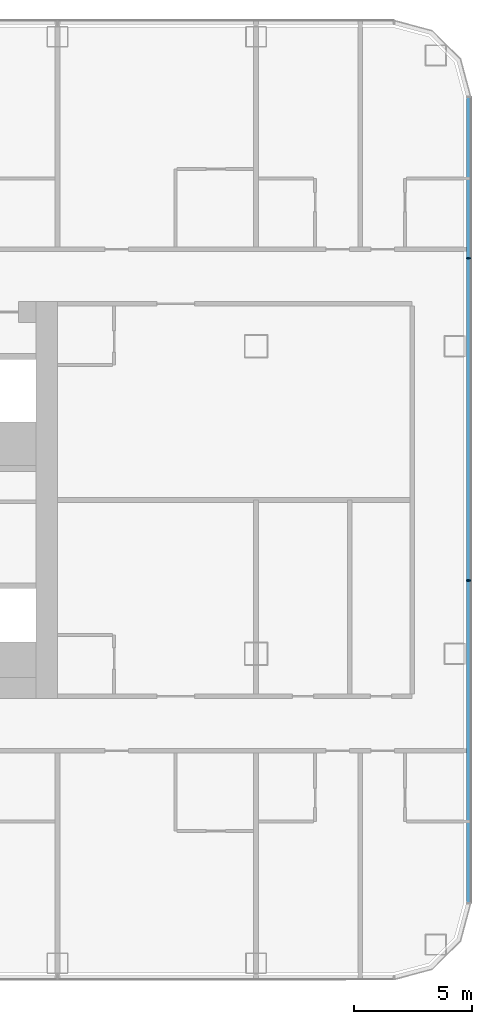
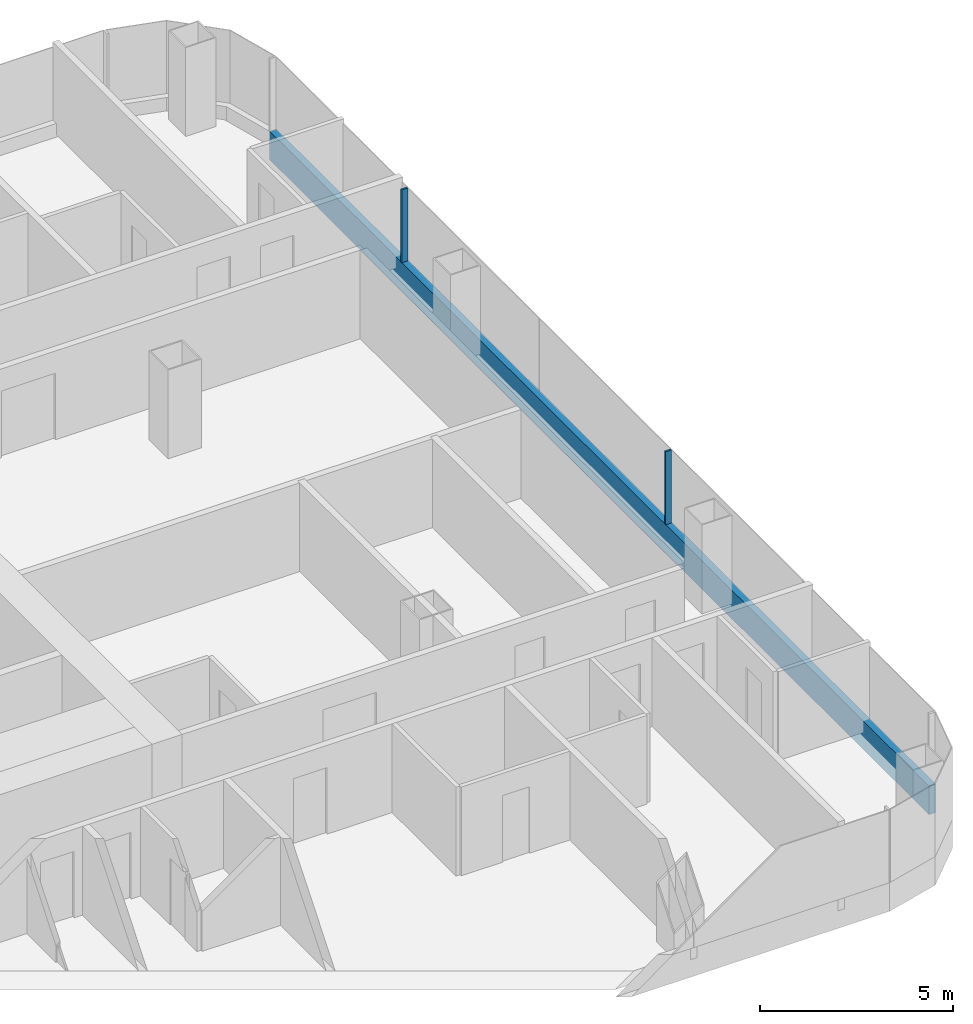
# One storey, part 10 of 28: 3 members, 1 element without a shape of its own.
"""IFC4 building model written with IfcOpenShell, lengths in metres."""

from ifc_helpers import new_model, si_unit, direction, frame, origin, origin_2d, place, context, subcontext, project, spatial, rectangle, extrude, material, layer, layer_set, material_profile, profile_set, type_object, element, aggregate, save


model = new_model("IFC4")

# Units and contexts
model_context = context("Model", 3, precision=1e-05, world=origin(), true_north=direction((0.0, 1.0)))
body_context = subcontext(model_context, "Body", "Model", "MODEL_VIEW")
ifc_project = project(units=[si_unit("LENGTHUNIT", "METRE"), si_unit("AREAUNIT", "SQUARE_METRE"), si_unit("VOLUMEUNIT", "CUBIC_METRE"), si_unit("PLANEANGLEUNIT", "RADIAN"), si_unit("MASSUNIT", "GRAM", prefix="KILO")], contexts=[model_context])

# Site, building, storey
site_placement = place(None, origin())
site = spatial("IfcSite", under=ifc_project, at=site_placement, CompositionType="ELEMENT")
building_placement = place(site_placement, origin())
building = spatial("IfcBuilding", under=site, at=building_placement, Name="Hakoniwa Tower and Hamabe Station Hall", CompositionType="ELEMENT")
storey_placement = place(building_placement, frame((0.0, 0.0, 42.199951171875)))
storey = spatial("IfcBuildingStorey", under=building, at=storey_placement, Name="L11", CompositionType="ELEMENT", Elevation=42.199951171875)

# Curtain wall, members
ifc_material_1 = material(Name="Dark low-e laminated glass", Category="glass")
ifc_layer = layer(ifc_material_1, 0.199951171875)
ifc_layer_set = layer_set([ifc_layer], Name="CW-1 UNITISED GUEST")
curtain_wall_type = type_object("IfcCurtainWallType", Name="CW-1 UNITISED GUEST", PredefinedType="NOTDEFINED", material=ifc_layer_set)
curtain_wall_placement = place(storey_placement, origin())
curtain_wall = element("IfcCurtainWall", 1, at=curtain_wall_placement, inside=storey, type_object=curtain_wall_type, Name="CW-1 curtain wall", PredefinedType="NOTDEFINED")
ifc_material_2 = material(Name="Aluminium 6063-T5 black anodised", Category="aluminium")
ifc_material_profile_1 = material_profile(ifc_material_2, rectangle(XDim=0.199951171875, YDim=0.89990234375, at=origin_2d()), Name="CW SLAB-EDGE BAND 900X200")
ifc_profile_set_1 = profile_set([ifc_material_profile_1], Name="Aluminium 6063-T5 black anodised")
member_type_1 = type_object("IfcMemberType", Name="CW SLAB-EDGE BAND 900X200", PredefinedType="USERDEFINED", material=ifc_profile_set_1)
member_1_placement = place(storey_placement, frame((51.0, -17.03955078125, -0.099853515625), z_axis=(0.0, 1.0, 0.0), x_axis=(-1.0, 0.0, 0.0)))
member_1 = element("IfcMember", 2, at=member_1_placement, type_object=member_type_1, Name="CW-1 transom", ObjectType="TRANSOM", PredefinedType="USERDEFINED", context=body_context, shape_type="SweptSolid", body=[
    extrude(rectangle(XDim=0.199951171875, YDim=0.89990234375, at=origin_2d()), origin(), (0.0, 0.0, 1.0), 34.0791015625),
])
ifc_material_3 = material(Name="Aluminium 6063-T5 black anodised", Category="aluminium")
ifc_material_profile_2 = material_profile(ifc_material_3, rectangle(XDim=0.06005859375, YDim=0.179931640625, at=origin_2d()), Name="CW-1 MULLION 60X180")
ifc_profile_set_2 = profile_set([ifc_material_profile_2], Name="Aluminium 6063-T5 black anodised")
member_type_2 = type_object("IfcMemberType", Name="CW-1 MULLION 60X180", PredefinedType="MULLION", material=ifc_profile_set_2)
member_2_placement = place(storey_placement, frame((50.98193359375, -3.407958984375, 0.35009765625), z_axis=(0.0, 0.0, 1.0), x_axis=(0.0, 1.0, 0.0)))
member_2 = element("IfcMember", 3, at=member_2_placement, type_object=member_type_2, Name="CW-1 mullion", PredefinedType="MULLION", context=body_context, shape_type="SweptSolid", body=[
    extrude(rectangle(XDim=0.06005859375, YDim=0.179931640625, at=origin_2d()), origin(), (0.0, 0.0, 1.0), 2.300048828125),
])
member_3_placement = place(storey_placement, frame((50.98193359375, 10.2236328125, 0.35009765625), z_axis=(0.0, 0.0, 1.0), x_axis=(0.0, 1.0, 0.0)))
member_3 = element("IfcMember", 4, at=member_3_placement, type_object=member_type_2, Name="CW-1 mullion", PredefinedType="MULLION", context=body_context, shape_type="SweptSolid", body=[
    extrude(rectangle(XDim=0.06005859375, YDim=0.179931640625, at=origin_2d()), origin(), (0.0, 0.0, 1.0), 2.300048828125),
])
aggregate(curtain_wall, [member_2, member_3, member_1])

save(model, "model.ifc")
